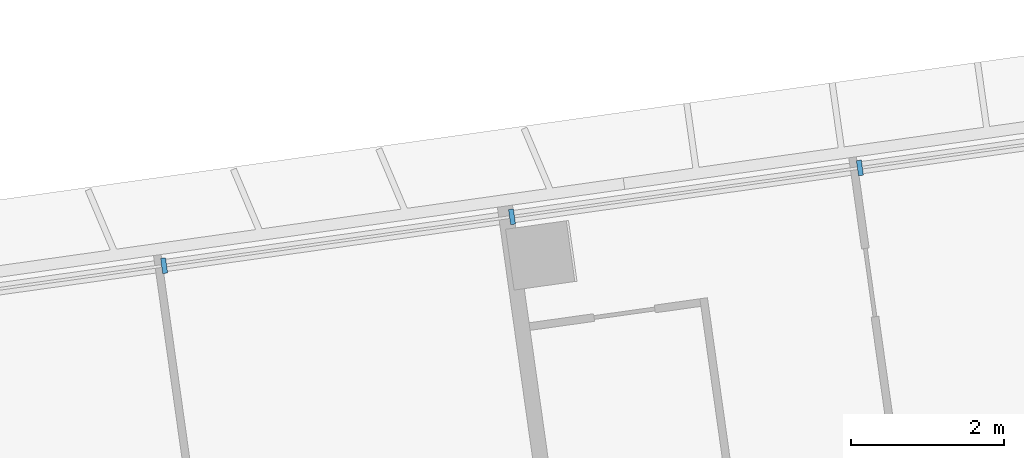
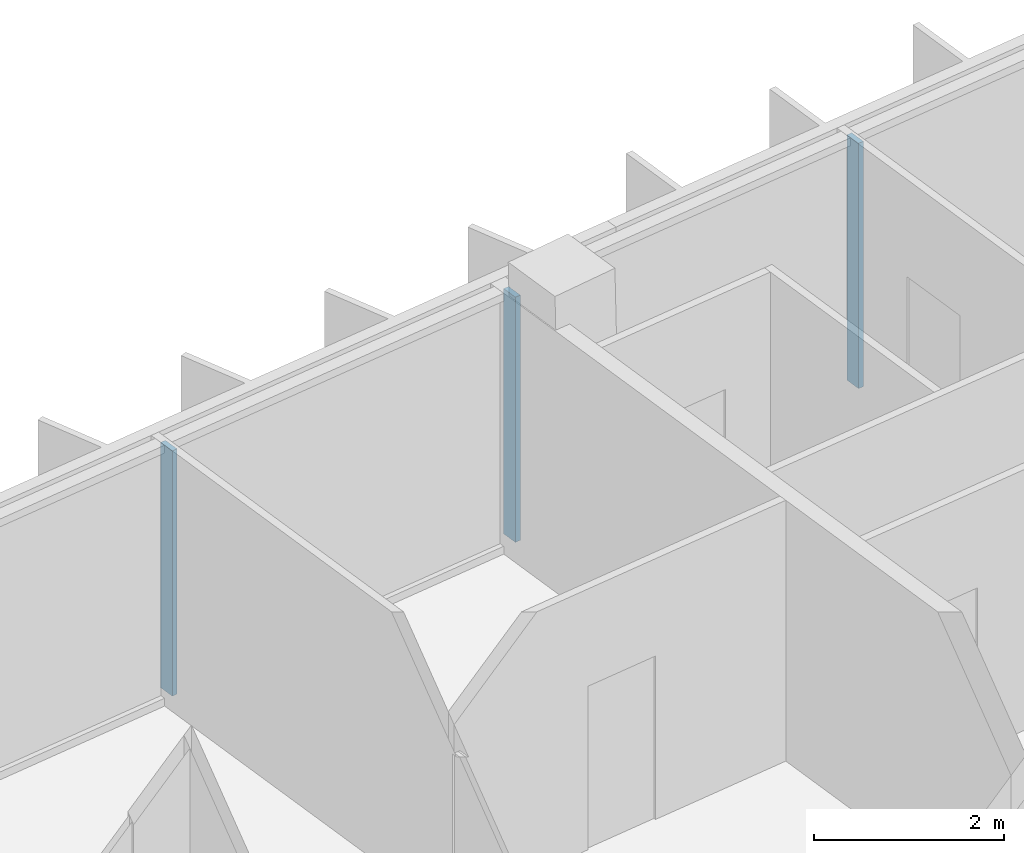
# One storey, part 9 of 23: 3 members, 1 element without a shape of its own.
"""IFC4 building model written with IfcOpenShell, lengths in metres."""

import ifcopenshell
import ifcopenshell.guid

model = None  # the IFC model being written
_history = None  # IfcOwnerHistory: only IFC2X3 demands one
_inside = {}  # id of a spatial element -> (the spatial element, [elements in it])
_under = {}  # id of a project, library or spatial element -> (it, [spatial elements below it])
_declared = {}  # id of a project -> (the project, [libraries it declares])
_typed = {}  # id of a type object -> (the type object, [elements of that type])
_made_of = {}  # id of a material, layer set ... -> (it, [elements and type objects made of it])


def new_model(schema):
    """Start an empty IFC model of exactly this schema.

    Asked for "IFC4X3", IfcOpenShell would pick the latest addendum, in which some entities
    have other attributes; the version numbers below select the first issue.
    IFC2X3 requires an IfcOwnerHistory on every rooted entity: one is made here for all.
    """
    global model, _history
    if schema == "IFC4X3":
        model = ifcopenshell.file(schema_version=(4, 3, 0, 0))
    else:
        model = ifcopenshell.file(schema=schema)
    _inside.clear()
    _under.clear()
    _declared.clear()
    _typed.clear()
    _made_of.clear()
    _history = None
    if model.schema == "IFC2X3":
        org = make("IfcOrganization", Name="unknown")
        user = make(
            "IfcPersonAndOrganization",
            ThePerson=make("IfcPerson", FamilyName="unknown"),
            TheOrganization=org,
        )
        app = make(
            "IfcApplication",
            ApplicationDeveloper=org,
            Version="unknown",
            ApplicationFullName="unknown",
            ApplicationIdentifier="unknown",
        )
        _history = make(
            "IfcOwnerHistory",
            OwningUser=user,
            OwningApplication=app,
            ChangeAction="ADDED",
            CreationDate=0,
        )
    return model


def make(cls, **values):
    """One entity of the class cls with the attributes given. An attribute that is None is left unset."""
    return model.create_entity(
        cls, **{name: value for name, value in values.items() if value is not None}
    )


def rooted(cls, **values):
    """An entity with a GlobalId (a new one), such as an element, a storey or a relation."""
    return make(cls, GlobalId=ifcopenshell.guid.new(), OwnerHistory=_history, **values)


def si_unit(unit_type, name, prefix=None):
    """IfcSIUnit, for example si_unit("LENGTHUNIT", "METRE", prefix="MILLI")."""
    return make("IfcSIUnit", UnitType=unit_type, Prefix=prefix, Name=name)


def assignment(units):
    """IfcUnitAssignment: the units of a project."""
    return None if units is None else make("IfcUnitAssignment", Units=units)


def point(xyz):
    """IfcCartesianPoint."""
    return None if xyz is None else make("IfcCartesianPoint", Coordinates=xyz)


def direction(xyz):
    """IfcDirection."""
    return None if xyz is None else make("IfcDirection", DirectionRatios=xyz)


def frame(location, z_axis=None, x_axis=None):
    """IfcAxis2Placement3D, a coordinate frame: its origin and axes. An axis left out is left unset."""
    return make(
        "IfcAxis2Placement3D",
        Location=point(location),
        Axis=direction(z_axis),
        RefDirection=direction(x_axis),
    )


def frame_2d(location, x_axis=None):
    """IfcAxis2Placement2D, a coordinate frame in the plane: its origin and x axis."""
    return make(
        "IfcAxis2Placement2D", Location=point(location), RefDirection=direction(x_axis)
    )


def origin():
    """The frame at (0, 0, 0) with its axes left unset."""
    return frame((0.0, 0.0, 0.0))


def origin_2d():
    """The frame at (0, 0) in the plane with its x axis left unset."""
    return frame_2d((0.0, 0.0))


def place(relative_to, where):
    """IfcLocalPlacement: puts the frame where relative to a parent placement (None: the world)."""
    return make(
        "IfcLocalPlacement", PlacementRelTo=relative_to, RelativePlacement=where
    )


def context(
    kind, dimensions, precision=None, world=None, true_north=None, identifier=None
):
    """IfcGeometricRepresentationContext, for example the 3D "Model" context."""
    return make(
        "IfcGeometricRepresentationContext",
        ContextIdentifier=identifier,
        ContextType=kind,
        CoordinateSpaceDimension=dimensions,
        Precision=precision,
        WorldCoordinateSystem=world,
        TrueNorth=true_north,
    )


def subcontext(parent, identifier, kind, view, scale=None):
    """IfcGeometricRepresentationSubContext, for example "Body" below "Model"."""
    return make(
        "IfcGeometricRepresentationSubContext",
        ContextIdentifier=identifier,
        ContextType=kind,
        ParentContext=parent,
        TargetScale=scale,
        TargetView=view,
    )


def project(units=None, contexts=None):
    """IfcProject with its units and contexts."""
    return rooted(
        "IfcProject",
        Name="project",
        RepresentationContexts=contexts,
        UnitsInContext=assignment(units),
    )


def spatial(cls, under=None, at=None, **own):
    """A site, building, storey or space (cls), placed at a placement, below another one or the project."""
    s = rooted(cls, ObjectPlacement=at, **own)
    if under is not None:
        _under.setdefault(under.id(), (under, []))[1].append(s)
    return s


def profile(cls, at=None, kind="AREA", **sizes):
    """A parametric profile (cls). Its sizes go by their IFC names, for example OverallWidth=200.0."""
    return make(cls, ProfileType=kind, Position=at, **sizes)


def rectangle(**sizes):
    """IfcRectangleProfileDef."""
    return profile("IfcRectangleProfileDef", **sizes)


def extrude(swept, where, along, depth):
    """IfcExtrudedAreaSolid: the profile swept, set in the frame where, extruded along a direction by depth."""
    return make(
        "IfcExtrudedAreaSolid",
        SweptArea=swept,
        Position=where,
        ExtrudedDirection=direction(along),
        Depth=depth,
    )


def shape(context_of_items, identifier, shape_type, items):
    """IfcShapeRepresentation: the items that make up one representation, for example the "Body"."""
    return make(
        "IfcShapeRepresentation",
        ContextOfItems=context_of_items,
        RepresentationIdentifier=identifier,
        RepresentationType=shape_type,
        Items=items,
    )


def material(Name=None, Category=None):
    """IfcMaterial."""
    return make("IfcMaterial", Name=Name, Category=Category)


def material_profile(
    of_material, cross_section, Name=None, Category=None, Priority=None
):
    """IfcMaterialProfile: a cross section and its material."""
    return make(
        "IfcMaterialProfile",
        Name=Name,
        Material=of_material,
        Profile=cross_section,
        Priority=Priority,
        Category=Category,
    )


def profile_set(profiles, Name=None, composite=None):
    """IfcMaterialProfileSet."""
    return make(
        "IfcMaterialProfileSet",
        Name=Name,
        MaterialProfiles=profiles,
        CompositeProfile=composite,
    )


def made_of(thing, what):
    """Note that an element or type object is made of a material, layer set ...; save() writes the relation."""
    if what is not None:
        _made_of.setdefault(what.id(), (what, []))[1].append(thing)
    return thing


def type_object(cls, material=None, **own):
    """A type object (cls), such as IfcWallType, which elements share."""
    return made_of(rooted(cls, **own), material)


def element(
    cls,
    number,
    at=None,
    inside=None,
    cuts=None,
    type_object=None,
    material=None,
    context=None,
    identifier="Body",
    shape_type=None,
    held_by="IfcProductDefinitionShape",
    body=None,
    shapes=None,
    **own,
):
    """One element of the class cls, such as IfcWall. Its Tag is "e" and its number.

    at: its placement. inside: the storey or other place that contains it. cuts: it is an
    opening in that element (IfcRelVoidsElement). A single representation is given by context,
    identifier, shape_type and body (its items); several are given by shapes. held_by: the class
    of the entity that holds the representations. save() writes the other relations.
    """
    e = rooted(cls, Tag="e%d" % number, ObjectPlacement=at, **own)
    if body is not None:
        shapes = [shape(context, identifier, shape_type, body)]
    if shapes is not None:
        e.Representation = make(held_by, Representations=shapes)
    if inside is not None:
        _inside.setdefault(inside.id(), (inside, []))[1].append(e)
    if cuts is not None:
        rooted(
            "IfcRelVoidsElement", RelatingBuildingElement=cuts, RelatedOpeningElement=e
        )
    if type_object is not None:
        _typed.setdefault(type_object.id(), (type_object, []))[1].append(e)
    return made_of(e, material)


def aggregate(whole, parts):
    """IfcRelAggregates: a whole, such as a stair, and the parts it consists of."""
    return rooted("IfcRelAggregates", RelatingObject=whole, RelatedObjects=parts)


def save(model, path):
    """Write the relations noted so far, then the file.

    IfcRelAggregates (storeys below a building ...), IfcRelContainedInSpatialStructure (elements
    in a storey), IfcRelDefinesByType, IfcRelAssociatesMaterial and IfcRelDeclares: one each for
    every whole, place, type object, material and project.
    """
    for whole, parts in _under.values():
        aggregate(whole, parts)
    for where, things in _inside.values():
        rooted(
            "IfcRelContainedInSpatialStructure",
            RelatedElements=things,
            RelatingStructure=where,
        )
    for kind, things in _typed.values():
        rooted("IfcRelDefinesByType", RelatedObjects=things, RelatingType=kind)
    for what, things in _made_of.values():
        rooted("IfcRelAssociatesMaterial", RelatedObjects=things, RelatingMaterial=what)
    for by, libraries in _declared.values():
        rooted("IfcRelDeclares", RelatingContext=by, RelatedDefinitions=libraries)
    model.write(path)


model = new_model("IFC4")

# Units and contexts
model_context = context("Model", 3, precision=1e-05, world=origin(), true_north=direction((0.0, 1.0)))
body_context = subcontext(model_context, "Body", "Model", "MODEL_VIEW")
ifc_project = project(units=[si_unit("LENGTHUNIT", "METRE"), si_unit("AREAUNIT", "SQUARE_METRE"), si_unit("VOLUMEUNIT", "CUBIC_METRE"), si_unit("PLANEANGLEUNIT", "RADIAN"), si_unit("MASSUNIT", "GRAM", prefix="KILO")], contexts=[model_context])

# Site, building, storey
site_placement = place(None, origin())
site = spatial("IfcSite", under=ifc_project, at=site_placement, CompositionType="ELEMENT")
building_placement = place(site_placement, origin())
building = spatial("IfcBuilding", under=site, at=building_placement, Name="Mirante Cascada Hotel Towers", CompositionType="ELEMENT")
storey_placement = place(building_placement, frame((0.0, 0.0, 180.2)))
storey = spatial("IfcBuildingStorey", under=building, at=storey_placement, Name="L42", CompositionType="ELEMENT", Elevation=180.2)

# Curtain wall, members
ifc_material_1 = material(Name="Aluminium mullion and transom frame with clear laminated glass", Category="aluminium")
curtain_wall_type = type_object("IfcCurtainWallType", Name="Ribbon curtain wall ECW1", PredefinedType="NOTDEFINED", material=ifc_material_1)
curtain_wall_placement = place(storey_placement, origin())
curtain_wall = element("IfcCurtainWall", 1, at=curtain_wall_placement, inside=storey, type_object=curtain_wall_type, Name="Front ribbon wall T2 L42", PredefinedType="NOTDEFINED")
ifc_material_2 = material(Name="Anodised aluminium extrusion", Category="aluminium")
ifc_material_profile = material_profile(ifc_material_2, rectangle(XDim=0.2, YDim=0.065, at=origin_2d()), Name="ECW1 MULLION 65x200")
ifc_profile_set = profile_set([ifc_material_profile], Name="Anodised aluminium extrusion")
member_type = type_object("IfcMemberType", Name="ECW1 mullion 65x200", PredefinedType="MULLION", material=ifc_profile_set)
member_1_placement = place(storey_placement, frame((49.1066, 19.7205, 0.1), z_axis=(0.0, 0.0, 1.0), x_axis=(0.1391731, -0.9902681, 0.0)))
member_1 = element("IfcMember", 2, at=member_1_placement, type_object=member_type, Name="ECW1 mullion 7", PredefinedType="MULLION", context=body_context, shape_type="SweptSolid", body=[
    extrude(rectangle(XDim=0.2, YDim=0.065, at=origin_2d()), origin(), (0.0, 0.0, 1.0), 3.15),
])
member_2_placement = place(storey_placement, frame((44.5689, 19.0828, 0.1), z_axis=(0.0, 0.0, 1.0), x_axis=(0.1391731, -0.9902681, 0.0)))
member_2 = element("IfcMember", 3, at=member_2_placement, type_object=member_type, Name="ECW1 mullion 8", PredefinedType="MULLION", context=body_context, shape_type="SweptSolid", body=[
    extrude(rectangle(XDim=0.2, YDim=0.065, at=origin_2d()), origin(), (0.0, 0.0, 1.0), 3.15),
])
member_3_placement = place(storey_placement, frame((40.0311, 18.445, 0.1), z_axis=(0.0, 0.0, 1.0), x_axis=(0.1391731, -0.9902681, 0.0)))
member_3 = element("IfcMember", 4, at=member_3_placement, type_object=member_type, Name="ECW1 mullion 9", PredefinedType="MULLION", context=body_context, shape_type="SweptSolid", body=[
    extrude(rectangle(XDim=0.2, YDim=0.065, at=origin_2d()), origin(), (0.0, 0.0, 1.0), 3.15),
])
aggregate(curtain_wall, [member_1, member_2, member_3])

save(model, "model.ifc")
